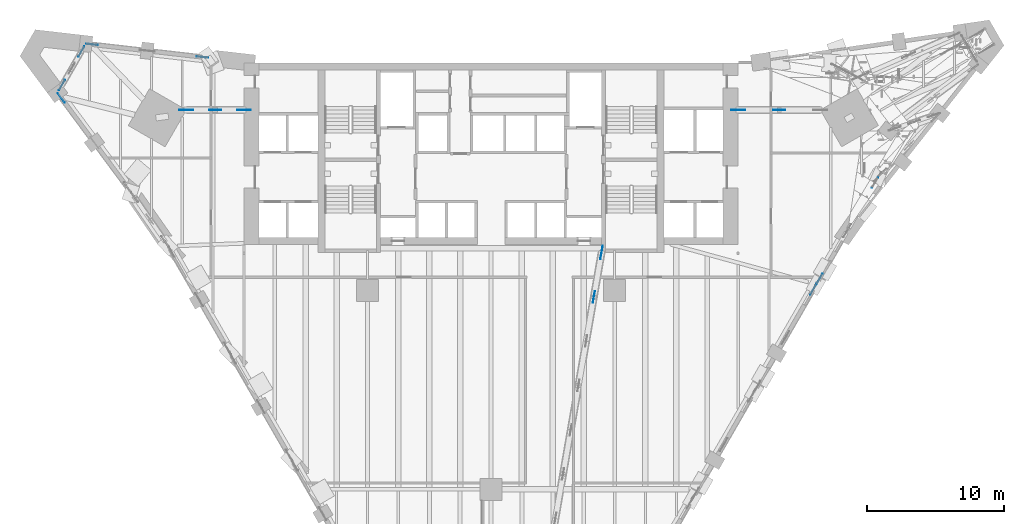
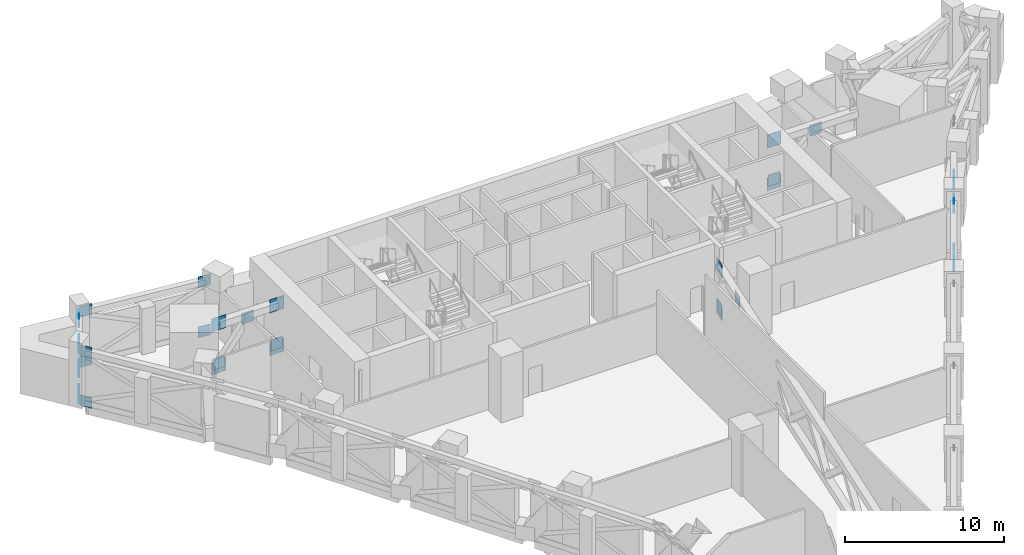
# One storey, part 15 of 22: 29 discrete accessories.
"""IFC4 building model written with IfcOpenShell, lengths in metres."""

from ifc_helpers import new_model, si_unit, direction, frame, origin, origin_2d, place, context, subcontext, project, spatial, rectangle, extrude, material, type_object, element, save


model = new_model("IFC4")

# Units and contexts
model_context = context("Model", 3, precision=1e-05, world=origin(), true_north=direction((0.0, 1.0)))
body_context = subcontext(model_context, "Body", "Model", "MODEL_VIEW")
ifc_project = project(units=[si_unit("LENGTHUNIT", "METRE"), si_unit("AREAUNIT", "SQUARE_METRE"), si_unit("VOLUMEUNIT", "CUBIC_METRE"), si_unit("PLANEANGLEUNIT", "RADIAN"), si_unit("MASSUNIT", "GRAM", prefix="KILO")], contexts=[model_context])

# Site, building, storey
site_placement = place(None, origin())
site = spatial("IfcSite", under=ifc_project, at=site_placement, CompositionType="ELEMENT")
building_placement = place(site_placement, origin())
building = spatial("IfcBuilding", under=site, at=building_placement, Name="Calabash Gate Tower", CompositionType="ELEMENT")
storey_placement = place(building_placement, frame((0.0, 0.0, 86.800048828125)))
storey = spatial("IfcBuildingStorey", under=building, at=storey_placement, Name="L18", CompositionType="ELEMENT", Elevation=86.800048828125)

# Discrete accessories
ifc_material = material(Name="Steel ASTM A572 Gr50", Category="steel")
discrete_accessory_type = type_object("IfcDiscreteAccessoryType", Name="Connection plate 25", PredefinedType="BRACKET", material=ifc_material)
for number, where, z_axis, x_axis, name in (
    (1, (23.472412109375, 2.550537109375, -0.22216796875), (0.0, 0.0, 1.0), (0.49999993954, 0.866025438691, 0.0), "Connection plate Belt chord L18 51 end"),
    (2, (23.927001953125, 3.333984375, 3.6015625), (0.0, 0.0, 1.0), (0.500175988672, 0.865923772832, 0.0), "Connection plate Belt chord L18 52 end"),
    (3, (23.92236328125, 3.329833984375, -0.22216796875), (0.0, 0.0, 1.0), (0.49999993954, 0.866025438691, 0.0), "Connection plate Belt chord L18 56 start"),
    (4, (27.969970703125, 10.340576171875, -0.22216796875), (0.0, 0.0, 1.0), (0.49999993954, 0.866025438691, 0.0), "Connection plate Belt chord L18 56 end"),
    (5, (-21.024169921875, 19.4892578125, -0.22216796875), (0.0, 0.0, 1.0), (-0.993506321721, 0.113776925164, 0.0), "Connection plate Belt chord L18 91 start"),
    (6, (-29.07177734375, 20.410888671875, -0.22216796875), (0.0, 0.0, 1.0), (-0.993506321721, 0.113776925164, 0.0), "Connection plate Belt chord L18 91 end"),
    (7, (-21.024169921875, 19.4892578125, 3.6015625), (0.0, 0.0, 1.0), (-0.993506321721, 0.113776925164, 0.0), "Connection plate Belt chord L18 92 start"),
    (8, (-29.07177734375, 20.410888671875, 3.6015625), (0.0, 0.0, 1.0), (-0.993506321721, 0.113776925164, 0.0), "Connection plate Belt chord L18 92 end"),
    (9, (-29.845703125, 19.895751953125, -0.22216796875), (0.0, 0.0, 1.0), (-0.500000105805, -0.866025342698, 0.0), "Connection plate Belt chord L18 96 start"),
    (10, (-31.258056640625, 17.449462890625, -0.22216796875), (0.0, 0.0, 1.0), (-0.500000105805, -0.866025342698, 0.0), "Connection plate Belt chord L18 96 end"),
    (11, (-29.845703125, 19.895751953125, 3.6015625), (0.0, 0.0, 1.0), (-0.500000105805, -0.866025342698, 0.0), "Connection plate Belt chord L18 97 start"),
    (12, (-31.258056640625, 17.449462890625, 3.6015625), (0.0, 0.0, 1.0), (-0.500000105805, -0.866025342698, 0.0), "Connection plate Belt chord L18 97 end"),
    (13, (-31.3173828125, 16.521484375, -0.22216796875), (0.0, 0.0, 1.0), (0.595286910489, -0.80351321968, 0.0), "Connection plate Belt chord L18 101 start"),
    (14, (-31.3173828125, 16.521484375, 3.6015625), (0.0, 0.0, 1.0), (0.595276210162, -0.803521146962, 0.0), "Connection plate Belt chord L18 102 start"),
):
    element("IfcDiscreteAccessory", number, at=place(storey_placement, frame(where, z_axis=z_axis, x_axis=x_axis)), inside=storey, type_object=discrete_accessory_type, Name=name, PredefinedType="BRACKET", context=body_context, shape_type="SweptSolid", body=[
        extrude(rectangle(XDim=0.850341796875, YDim=0.02490234375, at=origin_2d()), origin(), (0.0, 0.0, 1.0), 0.850341796875),
    ])
for number, where, z_axis, x_axis, name in (
    (15, (18.0, 15.64013671875, -0.25244140625), (0.0, 0.0, 1.0), (-1.0, 0.0, 0.0), "Connection plate Outrigger chord L18 NE end"),
    (16, (18.0, 15.64013671875, 3.01953125), (0.0, 0.0, 1.0), (-1.0, 0.0, 0.0), "Connection plate Outrigger chord L18 NE end"),
):
    element("IfcDiscreteAccessory", number, at=place(storey_placement, frame(where, z_axis=z_axis, x_axis=x_axis)), inside=storey, type_object=discrete_accessory_type, Name=name, PredefinedType="BRACKET", context=body_context, shape_type="SweptSolid", body=[
        extrude(rectangle(XDim=1.0126953125, YDim=0.02490234375, at=origin_2d()), origin(), (0.0, 0.0, 1.0), 1.0126953125),
    ])
for number, where, z_axis, x_axis, name in (
    (17, (20.994873046875, 15.64013671875, 2.8466796875), (0.0, 0.0, 1.0), (-1.0, 0.0, 0.0), "Connection plate Outrigger diagonal L18 NE end"),
    (18, (18.0, 15.64013671875, 0.0830078125), (0.0, 0.0, 1.0), (-1.0, 0.0, 0.0), "Connection plate Outrigger diagonal L18 NE end"),
):
    element("IfcDiscreteAccessory", number, at=place(storey_placement, frame(where, z_axis=z_axis, x_axis=x_axis)), inside=storey, type_object=discrete_accessory_type, Name=name, PredefinedType="BRACKET", context=body_context, shape_type="SweptSolid", body=[
        extrude(rectangle(XDim=0.850341796875, YDim=0.02490234375, at=origin_2d()), origin(), (0.0, 0.0, 1.0), 0.850341796875),
    ])
for number, where, z_axis, x_axis, name in (
    (19, (-22.19970703125, 15.64013671875, -0.25244140625), (0.0, 0.0, 1.0), (1.0, 0.0, 0.0), "Connection plate Outrigger chord L18 NW start"),
    (20, (-18.0, 15.64013671875, -0.25244140625), (0.0, 0.0, 1.0), (1.0, 0.0, 0.0), "Connection plate Outrigger chord L18 NW end"),
    (21, (-22.19970703125, 15.64013671875, 3.01953125), (0.0, 0.0, 1.0), (1.0, 0.0, 0.0), "Connection plate Outrigger chord L18 NW start"),
    (22, (-18.0, 15.64013671875, 3.01953125), (0.0, 0.0, 1.0), (1.0, 0.0, 0.0), "Connection plate Outrigger chord L18 NW end"),
):
    element("IfcDiscreteAccessory", number, at=place(storey_placement, frame(where, z_axis=z_axis, x_axis=x_axis)), inside=storey, type_object=discrete_accessory_type, Name=name, PredefinedType="BRACKET", context=body_context, shape_type="SweptSolid", body=[
        extrude(rectangle(XDim=1.0126953125, YDim=0.02490234375, at=origin_2d()), origin(), (0.0, 0.0, 1.0), 1.0126953125),
    ])
for number, where, z_axis, x_axis, name in (
    (23, (-22.19970703125, 15.64013671875, 0.0830078125), (0.0, 0.0, 1.0), (1.0, 0.0, 0.0), "Connection plate Outrigger diagonal L18 NW start"),
    (24, (-20.099853515625, 15.64013671875, 2.8466796875), (0.0, 0.0, 1.0), (1.0, 0.0, 0.0), "Connection plate Outrigger diagonal L18 NW end"),
    (25, (-18.0, 15.64013671875, 0.0830078125), (0.0, 0.0, 1.0), (1.0, 0.0, 0.0), "Connection plate Outrigger diagonal L18 NW end"),
):
    element("IfcDiscreteAccessory", number, at=place(storey_placement, frame(where, z_axis=z_axis, x_axis=x_axis)), inside=storey, type_object=discrete_accessory_type, Name=name, PredefinedType="BRACKET", context=body_context, shape_type="SweptSolid", body=[
        extrude(rectangle(XDim=0.850341796875, YDim=0.02490234375, at=origin_2d()), origin(), (0.0, 0.0, 1.0), 0.850341796875),
    ])
for number, where, z_axis, x_axis, name in (
    (26, (8.050048828125, 5.252685546875, -0.25244140625), (0.0, 0.0, 1.0), (0.170984794238, 0.985273667637, 0.0), "Connection plate Outrigger chord L18 S end"),
    (27, (8.050048828125, 5.252685546875, 3.01953125), (0.0, 0.0, 1.0), (0.170984794238, 0.985273667637, 0.0), "Connection plate Outrigger chord L18 S end"),
):
    element("IfcDiscreteAccessory", number, at=place(storey_placement, frame(where, z_axis=z_axis, x_axis=x_axis)), inside=storey, type_object=discrete_accessory_type, Name=name, PredefinedType="BRACKET", context=body_context, shape_type="SweptSolid", body=[
        extrude(rectangle(XDim=1.0126953125, YDim=0.02490234375, at=origin_2d()), origin(), (0.0, 0.0, 1.0), 1.0126953125),
    ])
for number, where, z_axis, x_axis, name in (
    (28, (7.489501953125, 2.022705078125, 2.8466796875), (0.0, 0.0, 1.0), (0.1709849662, 0.985273637795, 0.0), "Connection plate Outrigger diagonal L18 S end"),
    (29, (8.050048828125, 5.252685546875, 0.0830078125), (0.0, 0.0, 1.0), (0.170984725452, 0.985273679574, 0.0), "Connection plate Outrigger diagonal L18 S end"),
):
    element("IfcDiscreteAccessory", number, at=place(storey_placement, frame(where, z_axis=z_axis, x_axis=x_axis)), inside=storey, type_object=discrete_accessory_type, Name=name, PredefinedType="BRACKET", context=body_context, shape_type="SweptSolid", body=[
        extrude(rectangle(XDim=0.850341796875, YDim=0.02490234375, at=origin_2d()), origin(), (0.0, 0.0, 1.0), 0.850341796875),
    ])

save(model, "model.ifc")
